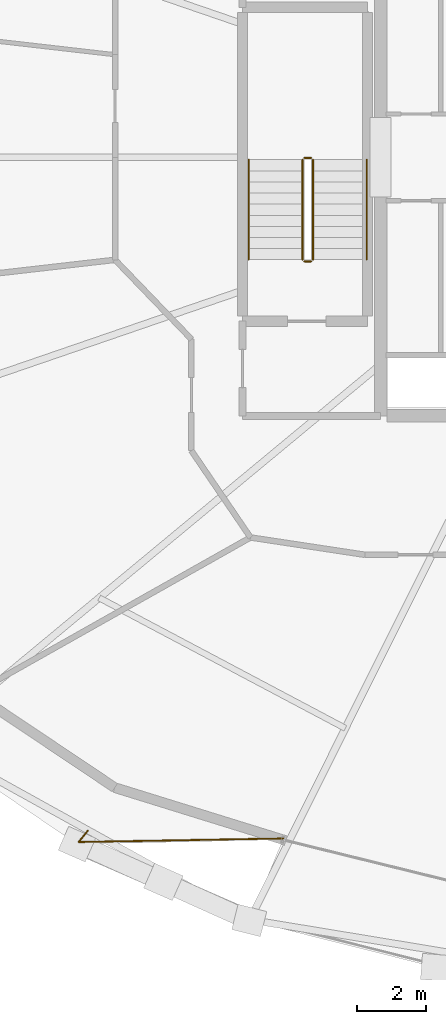
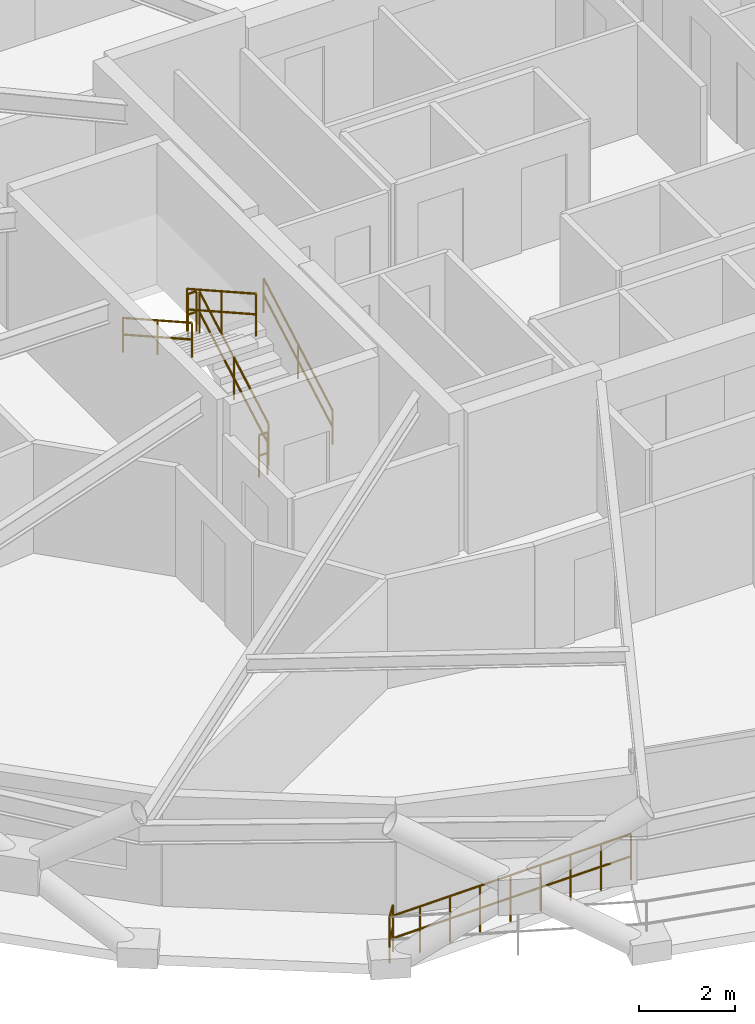
# One storey, part 18 of 20: 7 railings.
"""IFC4 building model written with IfcOpenShell, lengths in metres."""

from ifc_helpers import new_model, si_unit, direction, frame, origin, origin_2d, place, context, subcontext, project, spatial, circle, extrude, material, type_object, element, save


model = new_model("IFC4")

# Units and contexts
model_context = context("Model", 3, precision=1e-05, world=origin(), true_north=direction((0.0, 1.0)))
body_context = subcontext(model_context, "Body", "Model", "MODEL_VIEW")
ifc_project = project(units=[si_unit("LENGTHUNIT", "METRE"), si_unit("AREAUNIT", "SQUARE_METRE"), si_unit("VOLUMEUNIT", "CUBIC_METRE"), si_unit("PLANEANGLEUNIT", "RADIAN"), si_unit("MASSUNIT", "GRAM", prefix="KILO")], contexts=[model_context])

# Site, building, storey
site_placement = place(None, origin())
site = spatial("IfcSite", under=ifc_project, at=site_placement, CompositionType="ELEMENT")
building_placement = place(site_placement, origin())
building = spatial("IfcBuilding", under=site, at=building_placement, Name="Veldorina Hangang Commons", CompositionType="ELEMENT")
storey_placement = place(building_placement, frame((0.0, 0.0, 117.199951171875)))
storey = spatial("IfcBuildingStorey", under=building, at=storey_placement, Name="L29", CompositionType="ELEMENT", Elevation=117.199951171875)

# Railings
ifc_material_1 = material(Name="Glass Laminated Safety Balustrade", Category="glass")
railing_type_1 = type_object("IfcRailingType", Name="RL-BAL-LOGGIA", PredefinedType="BALUSTRADE", material=ifc_material_1)
railing_1_placement = place(storey_placement, frame((16.365234375, 4.604736328125, 0.0)))
element("IfcRailing", 1, at=railing_1_placement, inside=storey, type_object=railing_type_1, Name="L29 sky-garden loggia end balustrade A", PredefinedType="BALUSTRADE", context=body_context, shape_type="SweptSolid", body=[
    extrude(circle(Radius=0.02392578125, at=origin_2d()), frame((0.0, 0.0, 1.17578125), z_axis=(-0.627456880899, -0.778651310031, 0.0), x_axis=(0.778651310031, -0.627456880899, 0.0)), (0.0, 0.0, 1.0), 0.419921875),
    extrude(circle(Radius=0.02392578125, at=origin_2d()), frame((0.0, 0.0, 0.60009765625), z_axis=(-0.627456880899, -0.778651310031, 0.0), x_axis=(0.778651310031, -0.627456880899, 0.0)), (0.0, 0.0, 1.0), 0.419921875),
    extrude(circle(Radius=0.02392578125, at=origin_2d()), frame((-0.263427734375, -0.326904296875, 1.17578125), z_axis=(0.999848768001, 0.017390834578, 0.0), x_axis=(-0.017390834578, 0.999848768001, 0.0)), (0.0, 0.0, 1.0), 5.896240234375),
    extrude(circle(Radius=0.02392578125, at=origin_2d()), frame((-0.263427734375, -0.326904296875, 0.60009765625), z_axis=(0.999848768001, 0.017390834578, 0.0), x_axis=(-0.017390834578, 0.999848768001, 0.0)), (0.0, 0.0, 1.0), 5.896240234375),
    extrude(circle(Radius=0.02099609375, at=origin_2d()), origin(), (0.0, 0.0, 1.0), 1.15185546875),
    extrude(circle(Radius=0.02099609375, at=origin_2d()), frame((-0.263427734375, -0.326904296875, 0.0)), (0.0, 0.0, 1.0), 1.15185546875),
    extrude(circle(Radius=0.02099609375, at=origin_2d()), frame((0.473388671875, -0.31396484375, 0.0)), (0.0, 0.0, 1.0), 1.15185546875),
    extrude(circle(Radius=0.02099609375, at=origin_2d()), frame((1.21044921875, -0.30126953125, 0.0)), (0.0, 0.0, 1.0), 1.15185546875),
    extrude(circle(Radius=0.02099609375, at=origin_2d()), frame((1.947265625, -0.28857421875, 0.0)), (0.0, 0.0, 1.0), 1.15185546875),
    extrude(circle(Radius=0.02099609375, at=origin_2d()), frame((2.68408203125, -0.275634765625, 0.0)), (0.0, 0.0, 1.0), 1.15185546875),
    extrude(circle(Radius=0.02099609375, at=origin_2d()), frame((3.421142578125, -0.2626953125, 0.0)), (0.0, 0.0, 1.0), 1.15185546875),
    extrude(circle(Radius=0.02099609375, at=origin_2d()), frame((4.157958984375, -0.25, 0.0)), (0.0, 0.0, 1.0), 1.15185546875),
    extrude(circle(Radius=0.02099609375, at=origin_2d()), frame((4.89501953125, -0.2373046875, 0.0)), (0.0, 0.0, 1.0), 1.15185546875),
    extrude(circle(Radius=0.02099609375, at=origin_2d()), frame((5.6318359375, -0.224365234375, 0.0)), (0.0, 0.0, 1.0), 1.15185546875),
])
ifc_material_2 = material(Name="Steel Painted Balustrade", Category="steel")
railing_type_2 = type_object("IfcRailingType", Name="RL-GRD-STAIR", PredefinedType="GUARDRAIL", material=ifc_material_2)
railing_2_placement = place(storey_placement, frame((22.85009765625, 21.050048828125, 0.179931640625)))
element("IfcRailing", 2, at=railing_2_placement, inside=storey, type_object=railing_type_2, Name="L29 ST-1 stair guard 1", PredefinedType="GUARDRAIL", context=body_context, shape_type="SweptSolid", body=[
    extrude(circle(Radius=0.02392578125, at=origin_2d()), frame((0.0, 0.0, 1.076171875), z_axis=(0.0, 0.87155185771, 0.490303333991), x_axis=(-1.0, 0.0, 0.0)), (0.0, 0.0, 1.0), 3.30419921875),
    extrude(circle(Radius=0.02392578125, at=origin_2d()), frame((0.0, 0.0, 0.550048828125), z_axis=(0.0, 0.87155185771, 0.490303333991), x_axis=(-1.0, 0.0, 0.0)), (0.0, 0.0, 1.0), 3.30419921875),
    extrude(circle(Radius=0.02099609375, at=origin_2d()), origin(), (0.0, 0.0, 1.0), 1.052001953125),
    extrude(circle(Radius=0.02099609375, at=origin_2d()), frame((0.0, 1.43994140625, 0.81005859375)), (0.0, 0.0, 1.0), 1.052001953125),
    extrude(circle(Radius=0.02099609375, at=origin_2d()), frame((0.0, 2.8798828125, 1.6201171875)), (0.0, 0.0, 1.0), 1.052001953125),
])
railing_3_placement = place(storey_placement, frame((22.800048828125, 23.97998046875, 1.800048828125)))
element("IfcRailing", 3, at=railing_3_placement, inside=storey, type_object=railing_type_2, Name="L29 ST-1 stair guard 2", PredefinedType="GUARDRAIL", context=body_context, shape_type="SweptSolid", body=[
    extrude(circle(Radius=0.02392578125, at=origin_2d()), frame((0.0, 0.0, 1.076171875), z_axis=(-1.0, 0.0, 0.0), x_axis=(0.0, -1.0, 0.0)), (0.0, 0.0, 1.0), 0.199951171875),
    extrude(circle(Radius=0.02392578125, at=origin_2d()), frame((0.0, 0.0, 0.550048828125), z_axis=(-1.0, 0.0, 0.0), x_axis=(0.0, -1.0, 0.0)), (0.0, 0.0, 1.0), 0.199951171875),
    extrude(circle(Radius=0.02099609375, at=origin_2d()), origin(), (0.0, 0.0, 1.0), 1.052001953125),
    extrude(circle(Radius=0.02099609375, at=origin_2d()), frame((-0.199951171875, 0.0, 0.0)), (0.0, 0.0, 1.0), 1.052001953125),
])
railing_4_placement = place(storey_placement, frame((22.550048828125, 23.929931640625, 1.97998046875)))
element("IfcRailing", 4, at=railing_4_placement, inside=storey, type_object=railing_type_2, Name="L29 ST-1 stair guard 3", PredefinedType="GUARDRAIL", context=body_context, shape_type="SweptSolid", body=[
    extrude(circle(Radius=0.02392578125, at=origin_2d()), frame((0.0, 0.0, 1.076171875), z_axis=(0.0, -0.87155185771, 0.490303333991), x_axis=(1.0, 0.0, 0.0)), (0.0, 0.0, 1.0), 3.30419921875),
    extrude(circle(Radius=0.02392578125, at=origin_2d()), frame((0.0, 0.0, 0.550048828125), z_axis=(0.0, -0.87155185771, 0.490303333991), x_axis=(1.0, 0.0, 0.0)), (0.0, 0.0, 1.0), 3.30419921875),
    extrude(circle(Radius=0.02099609375, at=origin_2d()), origin(), (0.0, 0.0, 1.0), 1.052001953125),
    extrude(circle(Radius=0.02099609375, at=origin_2d()), frame((0.0, -1.43994140625, 0.81005859375)), (0.0, 0.0, 1.0), 1.052001953125),
    extrude(circle(Radius=0.02099609375, at=origin_2d()), frame((0.0, -2.8798828125, 1.6201171875)), (0.0, 0.0, 1.0), 1.052001953125),
])
railing_5_placement = place(storey_placement, frame((22.800048828125, 21.0, 0.0)))
element("IfcRailing", 5, at=railing_5_placement, inside=storey, type_object=railing_type_2, Name="L29 ST-1 stair guard 4", PredefinedType="GUARDRAIL", context=body_context, shape_type="SweptSolid", body=[
    extrude(circle(Radius=0.02392578125, at=origin_2d()), frame((0.0, 0.0, 1.076171875), z_axis=(-1.0, 0.0, 0.0), x_axis=(0.0, -1.0, 0.0)), (0.0, 0.0, 1.0), 0.199951171875),
    extrude(circle(Radius=0.02392578125, at=origin_2d()), frame((0.0, 0.0, 0.550048828125), z_axis=(-1.0, 0.0, 0.0), x_axis=(0.0, -1.0, 0.0)), (0.0, 0.0, 1.0), 0.199951171875),
    extrude(circle(Radius=0.02099609375, at=origin_2d()), origin(), (0.0, 0.0, 1.0), 1.052001953125),
    extrude(circle(Radius=0.02099609375, at=origin_2d()), frame((-0.199951171875, 0.0, 0.0)), (0.0, 0.0, 1.0), 1.052001953125),
])
ifc_material_3 = material(Name="Stainless Steel Brushed 316", Category="steel")
railing_type_3 = type_object("IfcRailingType", Name="RL-HND-STAIR", PredefinedType="HANDRAIL", material=ifc_material_3)
railing_6_placement = place(storey_placement, frame((24.39990234375, 21.050048828125, 0.179931640625)))
element("IfcRailing", 6, at=railing_6_placement, inside=storey, type_object=railing_type_3, Name="L29 ST-1 stair handrail 1", PredefinedType="HANDRAIL", context=body_context, shape_type="SweptSolid", body=[
    extrude(circle(Radius=0.02392578125, at=origin_2d()), frame((0.0, 0.0, 0.8759765625), z_axis=(0.0, 0.87155185771, 0.490303333991), x_axis=(-1.0, 0.0, 0.0)), (0.0, 0.0, 1.0), 3.30419921875),
    extrude(circle(Radius=0.02392578125, at=origin_2d()), frame((0.0, 0.0, 0.449951171875), z_axis=(0.0, 0.87155185771, 0.490303333991), x_axis=(-1.0, 0.0, 0.0)), (0.0, 0.0, 1.0), 3.30419921875),
    extrude(circle(Radius=0.02099609375, at=origin_2d()), origin(), (0.0, 0.0, 1.0), 0.851806640625),
    extrude(circle(Radius=0.02099609375, at=origin_2d()), frame((0.0, 1.43994140625, 0.81005859375)), (0.0, 0.0, 1.0), 0.851806640625),
    extrude(circle(Radius=0.02099609375, at=origin_2d()), frame((0.0, 2.8798828125, 1.6201171875)), (0.0, 0.0, 1.0), 0.851806640625),
])
railing_7_placement = place(storey_placement, frame((21.0, 23.929931640625, 1.97998046875)))
element("IfcRailing", 7, at=railing_7_placement, inside=storey, type_object=railing_type_3, Name="L29 ST-1 stair handrail 2", PredefinedType="HANDRAIL", context=body_context, shape_type="SweptSolid", body=[
    extrude(circle(Radius=0.02392578125, at=origin_2d()), frame((0.0, 0.0, 0.8759765625), z_axis=(0.0, -0.87155185771, 0.490303333991), x_axis=(1.0, 0.0, 0.0)), (0.0, 0.0, 1.0), 3.30419921875),
    extrude(circle(Radius=0.02392578125, at=origin_2d()), frame((0.0, 0.0, 0.449951171875), z_axis=(0.0, -0.87155185771, 0.490303333991), x_axis=(1.0, 0.0, 0.0)), (0.0, 0.0, 1.0), 3.30419921875),
    extrude(circle(Radius=0.02099609375, at=origin_2d()), origin(), (0.0, 0.0, 1.0), 0.851806640625),
    extrude(circle(Radius=0.02099609375, at=origin_2d()), frame((0.0, -1.43994140625, 0.81005859375)), (0.0, 0.0, 1.0), 0.851806640625),
    extrude(circle(Radius=0.02099609375, at=origin_2d()), frame((0.0, -2.8798828125, 1.6201171875)), (0.0, 0.0, 1.0), 0.851806640625),
])

save(model, "model.ifc")
